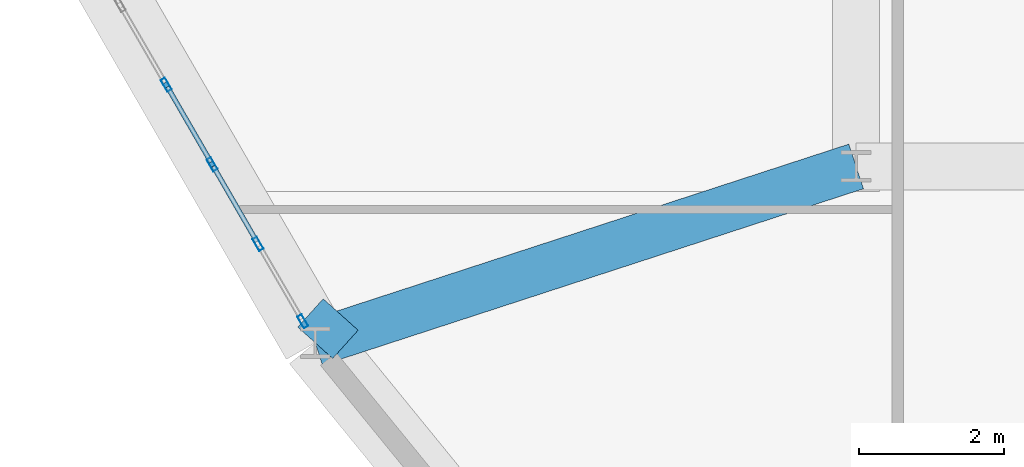
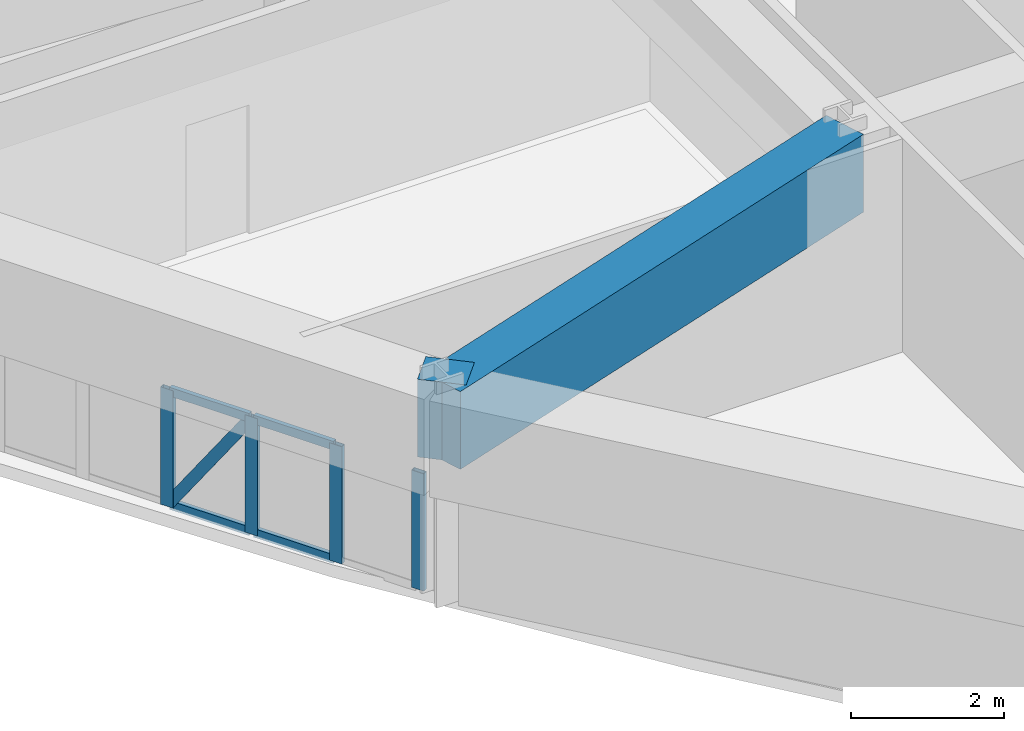
# One storey, part 2 of 16: 9 members, 2 beams, 1 element without a shape of its own.
"""IFC4 building model written with IfcOpenShell, lengths in metres."""

from ifc_helpers import new_model, si_unit, derived_unit, direction, frame, origin, origin_2d, place, context, subcontext, project, spatial, rectangle, hollow_rectangle, extrude, source, transform, mapped, material, layer, layer_set, material_profile, profile_set, type_object, element, aggregate, save


model = new_model("IFC4")

# Units and contexts
model_context = context("Model", 3, precision=1e-05, world=origin(), true_north=direction((0.0, 1.0)))
body_context = subcontext(model_context, "Body", "Model", "MODEL_VIEW")
ifc_project = project(units=[si_unit("LENGTHUNIT", "METRE"), si_unit("AREAUNIT", "SQUARE_METRE"), si_unit("VOLUMEUNIT", "CUBIC_METRE"), si_unit("PLANEANGLEUNIT", "RADIAN"), si_unit("MASSUNIT", "GRAM", prefix="KILO"), derived_unit("THERMALTRANSMITTANCEUNIT", [(si_unit("POWERUNIT", "WATT"), 1), (si_unit("LENGTHUNIT", "METRE"), -2), (si_unit("THERMODYNAMICTEMPERATUREUNIT", "KELVIN"), -1)])], contexts=[model_context])

# Site, building, storey
site_placement = place(None, origin())
site = spatial("IfcSite", under=ifc_project, at=site_placement, CompositionType="ELEMENT")
building_placement = place(site_placement, origin())
building = spatial("IfcBuilding", under=site, at=building_placement, Name="Korsvarv Bourse and Concert Hall", CompositionType="ELEMENT")
storey_placement = place(building_placement, frame((0.0, 0.0, 143.39990234375)))
storey = spatial("IfcBuildingStorey", under=building, at=storey_placement, Name="L36", CompositionType="ELEMENT", Elevation=143.39990234375)

# Beams
ifc_material_1 = material(Name="Concrete C50/60", Category="concrete")
ifc_material_profile_1 = material_profile(ifc_material_1, rectangle(XDim=0.64990234375, YDim=1.239990234375, at=origin_2d()), Name="RC-BM 650x1240")
ifc_profile_set_1 = profile_set([ifc_material_profile_1], Name="Concrete C50/60")
beam_type = type_object("IfcBeamType", Name="BM-TR-SPN", PredefinedType="BEAM", material=ifc_profile_set_1)
shared_shape_1 = source(origin(), body_context, "Body", "SweptSolid", [
    extrude(rectangle(XDim=0.64990234375, YDim=1.239990234375, at=origin_2d()), origin(), (0.0, 0.0, 1.0), 7.8701171875),
])
beam_1_placement = place(storey_placement, frame((20.11767578125, 21.560546875, 2.780029296875), z_axis=(0.950747329808, 0.309966957695, 0.0), x_axis=(-0.309966957695, 0.950747329808, 0.0)))
element("IfcBeam", 1, at=beam_1_placement, inside=storey, type_object=beam_type, Name="L36 beam B-TRS", PredefinedType="BEAM", context=body_context, shape_type="MappedRepresentation", body=[
    mapped(shared_shape_1, transform((0.0, 0.0, 0.0), scale=1.0)),
])
shared_shape_2 = source(origin(), body_context, "Body", "SweptSolid", [
    extrude(rectangle(XDim=0.64990234375, YDim=1.239990234375, at=origin_2d()), origin(), (0.0, 0.0, 1.0), 0.526123046875),
])
beam_2_placement = place(storey_placement, frame((20.11767578125, 21.560546875, 2.780029296875), z_axis=(0.668528877568, 0.743686183721, 0.0), x_axis=(-0.743686183721, 0.668528877568, 0.0)))
element("IfcBeam", 2, at=beam_2_placement, inside=storey, type_object=beam_type, Name="L36 beam B-TRS", PredefinedType="BEAM", context=body_context, shape_type="MappedRepresentation", body=[
    mapped(shared_shape_2, transform((0.0, 0.0, 0.0), scale=1.0)),
])

# Curtain wall, members
ifc_material_2 = material(Name="Anodised aluminium and triple low-E glazing", Category="glass")
ifc_layer = layer(ifc_material_2, 0.2099609375)
ifc_layer_set = layer_set([ifc_layer], Name="Anodised aluminium and triple low-E glazing")
curtain_wall_type = type_object("IfcCurtainWallType", Name="CW-SYS-2", PredefinedType="NOTDEFINED", material=ifc_layer_set)
curtain_wall_placement = place(storey_placement, origin())
curtain_wall = element("IfcCurtainWall", 3, at=curtain_wall_placement, inside=storey, type_object=curtain_wall_type, Name="L36 CW2 curtain wall CW-L36-F07", PredefinedType="NOTDEFINED")
ifc_material_3 = material(Name="Extruded aluminium EN AW-6063 T66", Category="aluminium")
ifc_material_profile_2 = material_profile(ifc_material_3, hollow_rectangle(XDim=0.070068359375, YDim=0.18994140625, WallThickness=0.0048828125, at=origin_2d()), Name="ALU-M 70x190")
ifc_profile_set_2 = profile_set([ifc_material_profile_2], Name="Extruded aluminium EN AW-6063 T66")
member_type_1 = type_object("IfcMemberType", Name="CWM-190", PredefinedType="MULLION", material=ifc_profile_set_2)
shared_shape_3 = source(origin(), body_context, "Body", "SweptSolid", [
    extrude(hollow_rectangle(XDim=0.070068359375, YDim=0.18994140625, WallThickness=0.0048828125, at=origin_2d()), origin(), (0.0, 0.0, 1.0), 1.8701171875),
])
member_1_placement = place(storey_placement, frame((18.056640625, 25.130126953125, 0.0), z_axis=(0.0, 0.0, 1.0), x_axis=(0.866025213439, 0.500000329688, 0.0)))
member_1 = element("IfcMember", 4, at=member_1_placement, type_object=member_type_1, Name="CW2 mullion 8", PredefinedType="MULLION", context=body_context, shape_type="MappedRepresentation", body=[
    mapped(shared_shape_3, transform((0.0, 0.0, 0.0), scale=1.0)),
])
member_2_placement = place(storey_placement, frame((18.692138671875, 24.029296875, 0.0), z_axis=(0.0, 0.0, 1.0), x_axis=(0.866025213439, 0.500000329688, 0.0)))
member_2 = element("IfcMember", 5, at=member_2_placement, type_object=member_type_1, Name="CW2 mullion 9", PredefinedType="MULLION", context=body_context, shape_type="MappedRepresentation", body=[
    mapped(shared_shape_3, transform((0.0, 0.0, 0.0), scale=1.0)),
])
member_3_placement = place(storey_placement, frame((19.32763671875, 22.9287109375, 0.0), z_axis=(0.0, 0.0, 1.0), x_axis=(0.866025213439, 0.500000329688, 0.0)))
member_3 = element("IfcMember", 6, at=member_3_placement, type_object=member_type_1, Name="CW2 mullion 10", PredefinedType="MULLION", context=body_context, shape_type="MappedRepresentation", body=[
    mapped(shared_shape_3, transform((0.0, 0.0, 0.0), scale=1.0)),
])
member_4_placement = place(storey_placement, frame((19.94580078125, 21.8583984375, 0.0), z_axis=(0.0, 0.0, 1.0), x_axis=(0.866025213439, 0.500000329688, 0.0)))
member_4 = element("IfcMember", 7, at=member_4_placement, type_object=member_type_1, Name="CW2 mullion 11", PredefinedType="MULLION", context=body_context, shape_type="MappedRepresentation", body=[
    mapped(shared_shape_3, transform((0.0, 0.0, 0.0), scale=1.0)),
])
ifc_material_profile_3 = material_profile(ifc_material_3, hollow_rectangle(XDim=0.06494140625, YDim=0.1650390625, WallThickness=0.0048828125, at=origin_2d()), Name="ALU-M 65x165")
ifc_profile_set_3 = profile_set([ifc_material_profile_3], Name="Extruded aluminium EN AW-6063 T66")
member_type_2 = type_object("IfcMemberType", Name="CWM-165", PredefinedType="MULLION", material=ifc_profile_set_3)
shared_shape_4 = source(origin(), body_context, "Body", "SweptSolid", [
    extrude(hollow_rectangle(XDim=0.06494140625, YDim=0.1650390625, WallThickness=0.0048828125, at=origin_2d()), origin(), (0.0, 0.0, 1.0), 2.1142578125),
])
member_5_placement = place(storey_placement, frame((18.07421875, 25.099853515625, 0.065185546875), z_axis=(0.284068966216, -0.49192430735, 0.8229916757), x_axis=(0.865982457891, 0.500074377092, 0.0)))
member_5 = element("IfcMember", 8, at=member_5_placement, type_object=member_type_2, Name="CW2 diagonal mullion 8", PredefinedType="MULLION", context=body_context, shape_type="MappedRepresentation", body=[
    mapped(shared_shape_4, transform((0.0, 0.0, 0.0), scale=1.0)),
])
ifc_material_profile_4 = material_profile(ifc_material_3, hollow_rectangle(XDim=0.06494140625, YDim=0.139892578125, WallThickness=0.00390625, at=origin_2d()), Name="ALU-T 65x140")
ifc_profile_set_4 = profile_set([ifc_material_profile_4], Name="Extruded aluminium EN AW-6063 T66")
member_type_3 = type_object("IfcMemberType", Name="CWT-140", PredefinedType="USERDEFINED", material=ifc_profile_set_4)
shared_shape_5 = source(origin(), body_context, "Body", "SweptSolid", [
    extrude(hollow_rectangle(XDim=0.06494140625, YDim=0.139892578125, WallThickness=0.00390625, at=origin_2d()), origin(), (0.0, 0.0, 1.0), 1.200927734375),
])
member_6_placement = place(storey_placement, frame((18.07421875, 25.099853515625, 0.03271484375), z_axis=(0.500074377092, -0.865982457891, 0.0), x_axis=(0.865982457891, 0.500074377092, 0.0)))
member_6 = element("IfcMember", 9, at=member_6_placement, type_object=member_type_3, Name="CW2 transom 8.1", ObjectType="TRANSOM", PredefinedType="USERDEFINED", context=body_context, shape_type="MappedRepresentation", body=[
    mapped(shared_shape_5, transform((0.0, 0.0, 0.0), scale=1.0)),
])
member_7_placement = place(storey_placement, frame((18.07421875, 25.099853515625, 1.837646484375), z_axis=(0.500074377092, -0.865982457891, 0.0), x_axis=(0.865982457891, 0.500074377092, 0.0)))
member_7 = element("IfcMember", 10, at=member_7_placement, type_object=member_type_3, Name="CW2 transom 8.2", ObjectType="TRANSOM", PredefinedType="USERDEFINED", context=body_context, shape_type="MappedRepresentation", body=[
    mapped(shared_shape_5, transform((0.0, 0.0, 0.0), scale=1.0)),
])
member_8_placement = place(storey_placement, frame((18.709716796875, 23.9990234375, 0.03271484375), z_axis=(0.500074377092, -0.865982457891, 0.0), x_axis=(0.865982457891, 0.500074377092, 0.0)))
member_8 = element("IfcMember", 11, at=member_8_placement, type_object=member_type_3, Name="CW2 transom 9.1", ObjectType="TRANSOM", PredefinedType="USERDEFINED", context=body_context, shape_type="MappedRepresentation", body=[
    mapped(shared_shape_5, transform((0.0, 0.0, 0.0), scale=1.0)),
])
member_9_placement = place(storey_placement, frame((18.709716796875, 23.9990234375, 1.837646484375), z_axis=(0.500074377092, -0.865982457891, 0.0), x_axis=(0.865982457891, 0.500074377092, 0.0)))
member_9 = element("IfcMember", 12, at=member_9_placement, type_object=member_type_3, Name="CW2 transom 9.2", ObjectType="TRANSOM", PredefinedType="USERDEFINED", context=body_context, shape_type="MappedRepresentation", body=[
    mapped(shared_shape_5, transform((0.0, 0.0, 0.0), scale=1.0)),
])
aggregate(curtain_wall, [member_1, member_2, member_3, member_4, member_6, member_7, member_5, member_8, member_9])

save(model, "model.ifc")
